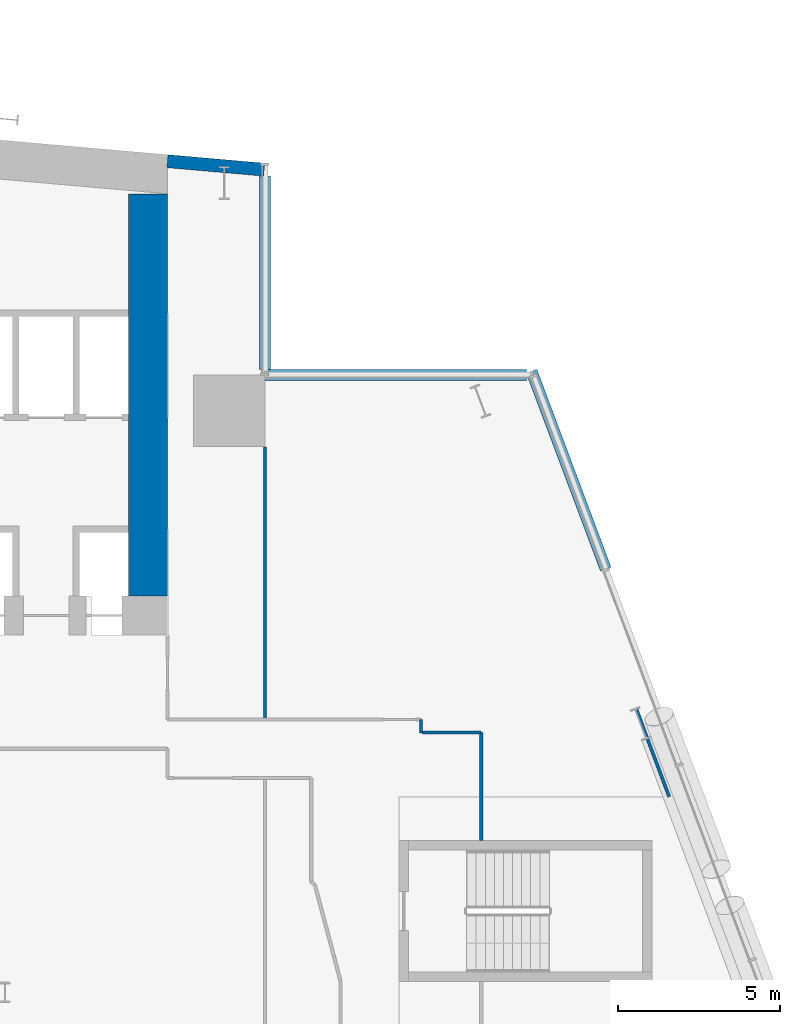
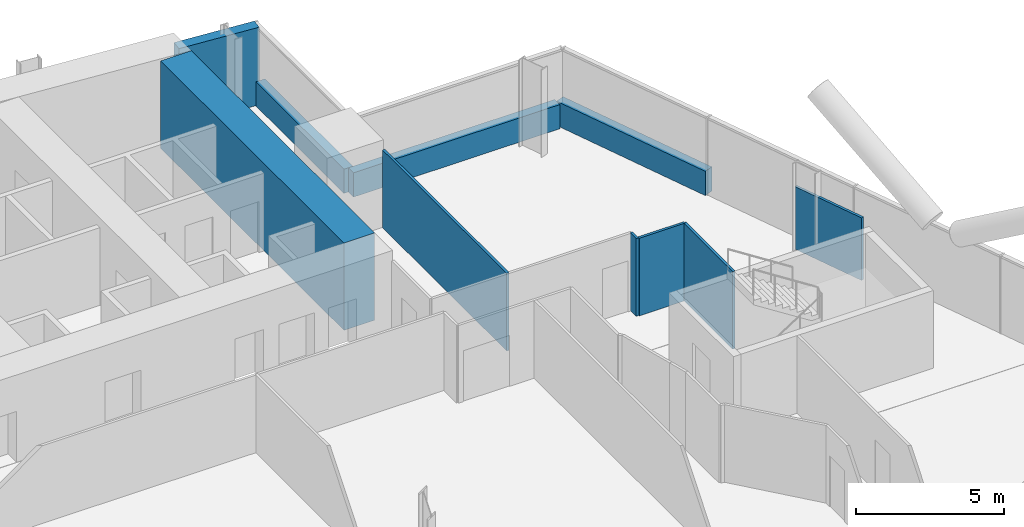
# One storey, part 19 of 27: 10 walls.
"""IFC4 building model written with IfcOpenShell, lengths in metres."""

from ifc_helpers import new_model, si_unit, direction, frame, frame_2d, origin, place, context, subcontext, project, spatial, rectangle, extrude, material, layer, layer_set, type_object, element, save


model = new_model("IFC4")

# Units and contexts
model_context = context("Model", 3, precision=1e-05, world=origin(), true_north=direction((0.0, 1.0)))
body_context = subcontext(model_context, "Body", "Model", "MODEL_VIEW")
ifc_project = project(units=[si_unit("LENGTHUNIT", "METRE"), si_unit("AREAUNIT", "SQUARE_METRE"), si_unit("VOLUMEUNIT", "CUBIC_METRE"), si_unit("PLANEANGLEUNIT", "RADIAN"), si_unit("MASSUNIT", "GRAM", prefix="KILO")], contexts=[model_context])

# Site, building, storey
site_placement = place(None, origin())
site = spatial("IfcSite", under=ifc_project, at=site_placement, CompositionType="ELEMENT")
building_placement = place(site_placement, origin())
building = spatial("IfcBuilding", under=site, at=building_placement, Name="Wharfspan Tower", CompositionType="ELEMENT")
storey_placement = place(building_placement, frame((0.0, 0.0, 77.5)))
storey = spatial("IfcBuildingStorey", under=building, at=storey_placement, Name="L16", CompositionType="ELEMENT", Elevation=77.5)

# Walls
ifc_material_1 = material(Name="Gypsum board on steel studs", Category="steel")
ifc_layer_1 = layer(ifc_material_1, 0.100098)
ifc_layer_set_1 = layer_set([ifc_layer_1], Name="Gypsum board on steel studs")
wall_type_1 = type_object("IfcWallType", Name="Compartment wall 100 EI 60", PredefinedType="PARTITIONING", material=ifc_layer_set_1)
wall_1_placement = place(storey_placement, frame((68.0, 31.399902, 0.0), z_axis=(0.0, 0.0, 1.0), x_axis=(0.0, 1.0, 0.0)))
element("IfcWall", 1, at=wall_1_placement, inside=storey, type_object=wall_type_1, Name="Partition L16.w053", PredefinedType="PARTITIONING", context=body_context, shape_type="SweptSolid", body=[
    extrude(rectangle(XDim=8.390137, YDim=0.100098, at=frame_2d((4.195068, 0.0))), origin(), (0.0, 0.0, 1.0), 3.199951),
])
wall_2_placement = place(storey_placement, frame((72.810059, 30.985107, 0.0), z_axis=(0.0, 0.0, 1.0), x_axis=(0.0, 1.0, 0.0)))
element("IfcWall", 2, at=wall_2_placement, inside=storey, type_object=wall_type_1, Name="Partition L16.w061", PredefinedType="PARTITIONING", context=body_context, shape_type="SweptSolid", body=[
    extrude(rectangle(XDim=0.414795, YDim=0.100098, at=frame_2d((0.20752, 0.0))), origin(), (0.0, 0.0, 1.0), 3.199951),
])
wall_3_placement = place(storey_placement, frame((72.860107, 31.0, 0.0), z_axis=(0.0, 0.0, 1.0), x_axis=(1.0, 0.0, 0.0)))
element("IfcWall", 3, at=wall_3_placement, inside=storey, type_object=wall_type_1, Name="Partition L16.w063", PredefinedType="PARTITIONING", context=body_context, shape_type="SweptSolid", body=[
    extrude(rectangle(XDim=1.799805, YDim=0.100098, at=frame_2d((0.899902, 0.0))), origin(), (0.0, 0.0, 1.0), 3.199951),
])
wall_4_placement = place(storey_placement, frame((74.659912, 27.675049, 0.0), z_axis=(0.0, 0.0, 1.0), x_axis=(0.0, 1.0, 0.0)))
element("IfcWall", 4, at=wall_4_placement, inside=storey, type_object=wall_type_1, Name="Partition L16.w066", PredefinedType="PARTITIONING", context=body_context, shape_type="SweptSolid", body=[
    extrude(rectangle(XDim=3.324951, YDim=0.100098, at=frame_2d((1.662598, 0.0))), origin(), (0.0, 0.0, 1.0), 3.199951),
])
ifc_material_2 = material(Name="Concrete C70/85", Category="concrete")
ifc_layer_2 = layer(ifc_material_2, 1.199951)
ifc_layer_set_2 = layer_set([ifc_layer_2], Name="Concrete C70/85")
wall_type_2 = type_object("IfcWallType", Name="Core wall 1200 C70/85", PredefinedType="SHEAR", material=ifc_layer_set_2)
wall_5_placement = place(storey_placement, frame((64.399902, 35.199951, 0.0), z_axis=(0.0, 0.0, 1.0), x_axis=(0.0, 1.0, 0.0)))
element("IfcWall", 5, at=wall_5_placement, inside=storey, type_object=wall_type_2, Name="Core cross wall EW1 L16", PredefinedType="SHEAR", context=body_context, shape_type="SweptSolid", body=[
    extrude(rectangle(XDim=12.382812, YDim=1.199951, at=frame_2d((6.191406, 0.0))), origin(), (0.0, 0.0, 1.0), 3.600098),
])
ifc_layer_3 = layer(ifc_material_1, 0.100098)
ifc_layer_set_3 = layer_set([ifc_layer_3], Name="Gypsum board on steel studs")
wall_type_3 = type_object("IfcWallType", Name="Partition 100", PredefinedType="PARTITIONING", material=ifc_layer_set_3)
wall_6_placement = place(storey_placement, frame((80.44751, 29.02002, 0.0), z_axis=(0.0, 0.0, 1.0), x_axis=(-0.35129, 0.93627, 0.0)))
element("IfcWall", 6, at=wall_6_placement, inside=storey, type_object=wall_type_3, Name="Partition L16.w071", PredefinedType="PARTITIONING", context=body_context, shape_type="SweptSolid", body=[
    extrude(rectangle(XDim=2.910645, YDim=0.100098, at=frame_2d((1.455322, 0.0))), origin(), (0.0, 0.0, 1.0), 2.580078),
])
ifc_material_3 = material(Name="Concrete C40/50", Category="concrete")
ifc_layer_4 = layer(ifc_material_3, 0.350098)
ifc_layer_set_4 = layer_set([ifc_layer_4], Name="Concrete C40/50")
wall_type_4 = type_object("IfcWallType", Name="SPANDREL EXPOSED CONCRETE 350", PredefinedType="SOLIDWALL", material=ifc_layer_set_4)
wall_7_placement = place(storey_placement, frame((78.494141, 36.029785, 0.0), z_axis=(0.0, 0.0, 1.0), x_axis=(-0.351108, 0.936338, 0.0)))
element("IfcWall", 7, at=wall_7_placement, inside=storey, type_object=wall_type_4, Name="Spandrel upstand L16 E 2", PredefinedType="SOLIDWALL", context=body_context, shape_type="SweptSolid", body=[
    extrude(rectangle(XDim=6.50293, YDim=0.350098, at=frame_2d((3.251465, 0.0))), origin(), (0.0, 0.0, 1.0), 1.0),
])
wall_8_placement = place(storey_placement, frame((76.047119, 42.004883, 0.0), z_axis=(0.0, 0.0, 1.0), x_axis=(-1.0, 0.0, 0.0)))
element("IfcWall", 8, at=wall_8_placement, inside=storey, type_object=wall_type_4, Name="Spandrel upstand L16 NRE-H", PredefinedType="SOLIDWALL", context=body_context, shape_type="SweptSolid", body=[
    extrude(rectangle(XDim=8.047119, YDim=0.350098, at=frame_2d((4.023438, 0.0))), origin(), (0.0, 0.0, 1.0), 1.0),
])
wall_9_placement = place(storey_placement, frame((68.004883, 42.179932, 0.0), z_axis=(0.0, 0.0, 1.0), x_axis=(0.0, 1.0, 0.0)))
element("IfcWall", 9, at=wall_9_placement, inside=storey, type_object=wall_type_4, Name="Spandrel upstand L16 NRE-V", PredefinedType="SOLIDWALL", context=body_context, shape_type="SweptSolid", body=[
    extrude(rectangle(XDim=5.946533, YDim=0.350098, at=frame_2d((2.973145, 0.0))), origin(), (0.0, 0.0, 1.0), 1.0),
])
ifc_layer_5 = layer(ifc_material_3, 0.399902)
ifc_layer_set_5 = layer_set([ifc_layer_5], Name="Concrete C40/50")
wall_type_5 = type_object("IfcWallType", Name="WALL EXPOSED CONCRETE 400", PredefinedType="SOLIDWALL", material=ifc_layer_set_5)
wall_10_placement = place(storey_placement, frame((67.982666, 48.325684, 0.0), z_axis=(0.0, 0.0, 1.0), x_axis=(-0.996194, 0.087168, 0.0)))
element("IfcWall", 10, at=wall_10_placement, inside=storey, type_object=wall_type_5, Name="Rear wall N2", PredefinedType="SOLIDWALL", context=body_context, shape_type="SweptSolid", body=[
    extrude(rectangle(XDim=2.994141, YDim=0.399902, at=frame_2d((1.49707, 0.0))), origin(), (0.0, 0.0, 1.0), 3.199951),
])

save(model, "model.ifc")
